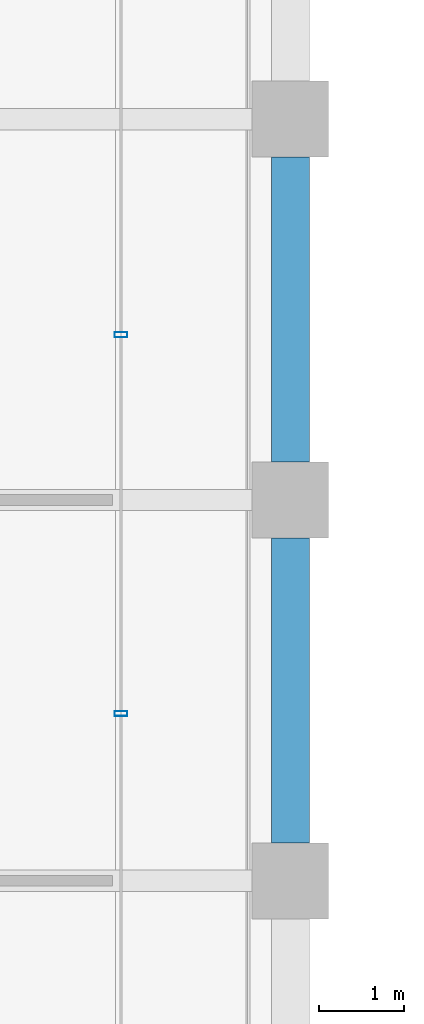
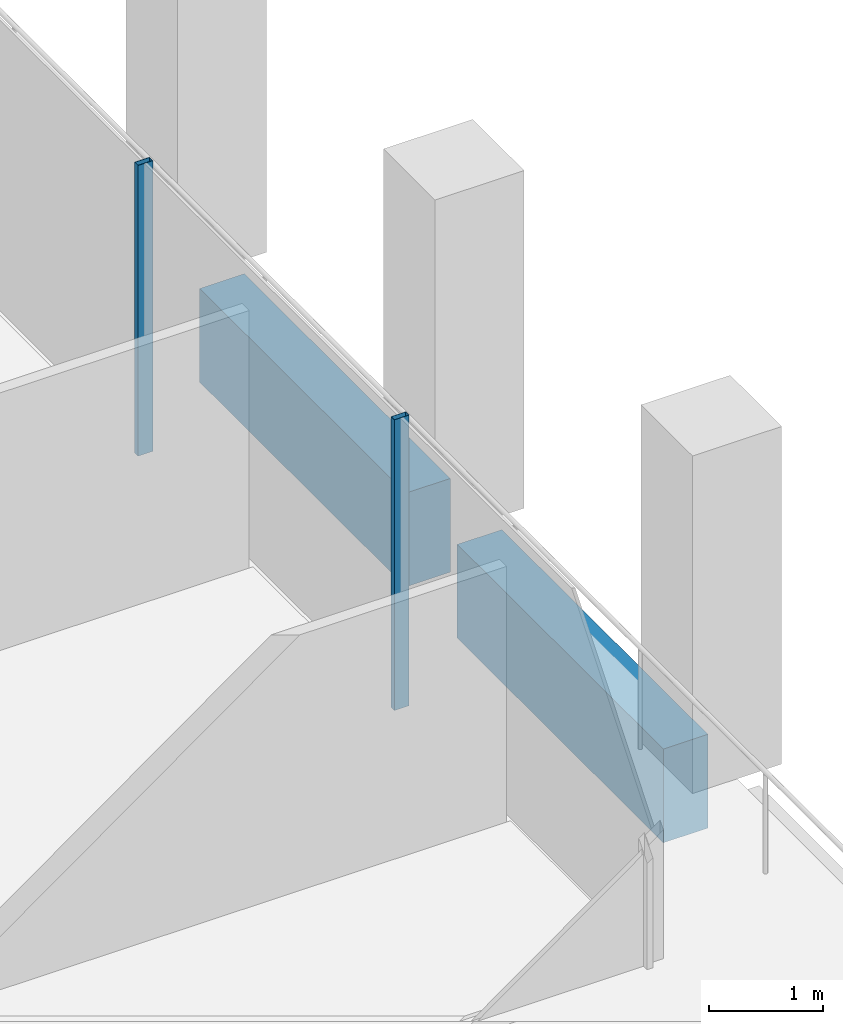
# One storey, part 15 of 40: 2 beams, 2 members, 1 element without a shape of its own.
"""IFC4 building model written with IfcOpenShell, lengths in metres."""

from ifc_helpers import new_model, si_unit, direction, frame, origin, origin_2d, place, context, subcontext, project, spatial, rectangle, hollow_rectangle, extrude, material, material_profile, profile_set, type_object, element, aggregate, save


model = new_model("IFC4")

# Units and contexts
model_context = context("Model", 3, precision=1e-05, world=origin(), true_north=direction((0.0, 1.0)))
body_context = subcontext(model_context, "Body", "Model", "MODEL_VIEW")
ifc_project = project(units=[si_unit("LENGTHUNIT", "METRE"), si_unit("AREAUNIT", "SQUARE_METRE"), si_unit("VOLUMEUNIT", "CUBIC_METRE"), si_unit("PLANEANGLEUNIT", "RADIAN"), si_unit("MASSUNIT", "GRAM", prefix="KILO")], contexts=[model_context])

# Site, building, storey
site_placement = place(None, origin())
site = spatial("IfcSite", under=ifc_project, at=site_placement, CompositionType="ELEMENT")
building_placement = place(site_placement, origin())
building = spatial("IfcBuilding", under=site, at=building_placement, Name="Altepetl Exchange Towers", CompositionType="ELEMENT")
storey_placement = place(building_placement, frame((0.0, 0.0, 183.39990234375)))
storey = spatial("IfcBuildingStorey", under=building, at=storey_placement, Name="L46", CompositionType="ELEMENT", Elevation=183.39990234375)

# Curtain wall, members
ifc_material_1 = material(Name="Aluminium 6063-T6 glazing", Category="aluminium")
curtain_wall_type = type_object("IfcCurtainWallType", Name="Loggia glazing system", PredefinedType="NOTDEFINED", material=ifc_material_1)
curtain_wall_placement = place(storey_placement, origin())
curtain_wall = element("IfcCurtainWall", 1, at=curtain_wall_placement, inside=storey, type_object=curtain_wall_type, Name="CW1 run", PredefinedType="NOTDEFINED")
ifc_material_2 = material(Name="Aluminium 6063-T6", Category="aluminium")
ifc_material_profile_1 = material_profile(ifc_material_2, hollow_rectangle(XDim=0.06005859375, YDim=0.14990234375, WallThickness=0.0029296875, at=origin_2d()), Name="Mullion 60x150 aluminium")
ifc_profile_set_1 = profile_set([ifc_material_profile_1], Name="Aluminium 6063-T6")
member_type = type_object("IfcMemberType", Name="Mullion 60x150 aluminium", PredefinedType="MULLION", material=ifc_profile_set_1)
member_1_placement = place(storey_placement, frame((70.0, 37.97607421875, 0.0), z_axis=(0.0, 0.0, 1.0), x_axis=(0.0, 1.0, 0.0)))
member_1 = element("IfcMember", 2, at=member_1_placement, type_object=member_type, Name="MU1 mullion", PredefinedType="MULLION", context=body_context, shape_type="SweptSolid", body=[
    extrude(hollow_rectangle(XDim=0.06005859375, YDim=0.14990234375, WallThickness=0.0029296875, at=origin_2d()), origin(), (0.0, 0.0, 1.0), 3.10009765625),
])
member_2_placement = place(storey_placement, frame((70.0, 42.451904296875, 0.0), z_axis=(0.0, 0.0, 1.0), x_axis=(0.0, 1.0, 0.0)))
member_2 = element("IfcMember", 3, at=member_2_placement, type_object=member_type, Name="MU1 mullion", PredefinedType="MULLION", context=body_context, shape_type="SweptSolid", body=[
    extrude(hollow_rectangle(XDim=0.06005859375, YDim=0.14990234375, WallThickness=0.0029296875, at=origin_2d()), origin(), (0.0, 0.0, 1.0), 3.10009765625),
])
aggregate(curtain_wall, [member_1, member_2])

# Beams
ifc_material_3 = material(Name="Concrete C50/60 precast with cantera amarilla facing", Category="concrete")
ifc_material_profile_2 = material_profile(ifc_material_3, rectangle(XDim=0.449951171875, YDim=1.0, at=origin_2d()), Name="450 x 1000")
ifc_profile_set_2 = profile_set([ifc_material_profile_2], Name="Concrete C50/60 precast with cantera amarilla facing")
beam_type = type_object("IfcBeamType", Name="Spandrel beam 450x1000 cantera amarilla", PredefinedType="SPANDREL", material=ifc_profile_set_2)
for number, where, z_axis, x_axis, name in (
    (4, (72.0, 36.449951171875, -0.64990234375), (0.0, 1.0, 0.0), (-1.0, 0.0, 0.0), "sp:A:L46:013"),
    (5, (72.0, 40.949951171875, -0.64990234375), (0.0, 1.0, 0.0), (-1.0, 0.0, 0.0), "sp:A:L46:014"),
):
    element("IfcBeam", number, at=place(storey_placement, frame(where, z_axis=z_axis, x_axis=x_axis)), inside=storey, type_object=beam_type, Name=name, PredefinedType="SPANDREL", context=body_context, shape_type="SweptSolid", body=[
        extrude(rectangle(XDim=0.449951171875, YDim=1.0, at=origin_2d()), origin(), (0.0, 0.0, 1.0), 3.60009765625),
    ])

save(model, "model.ifc")
